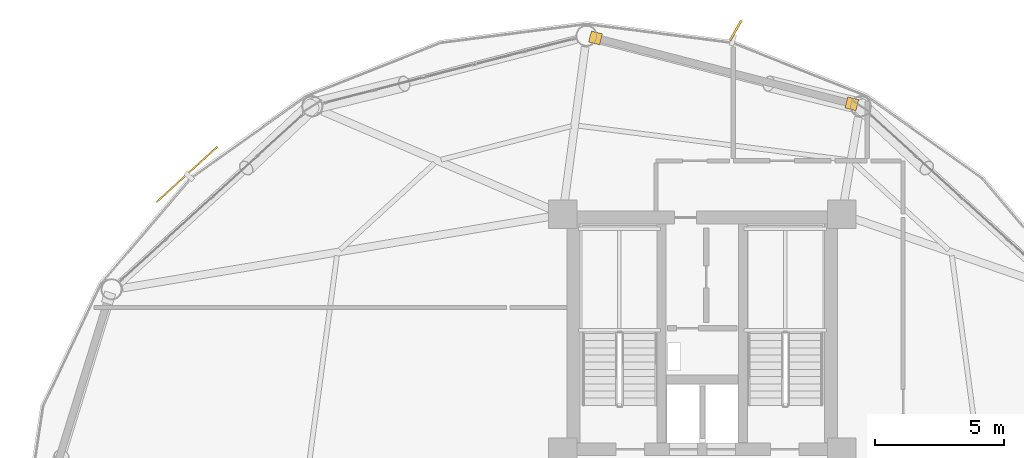
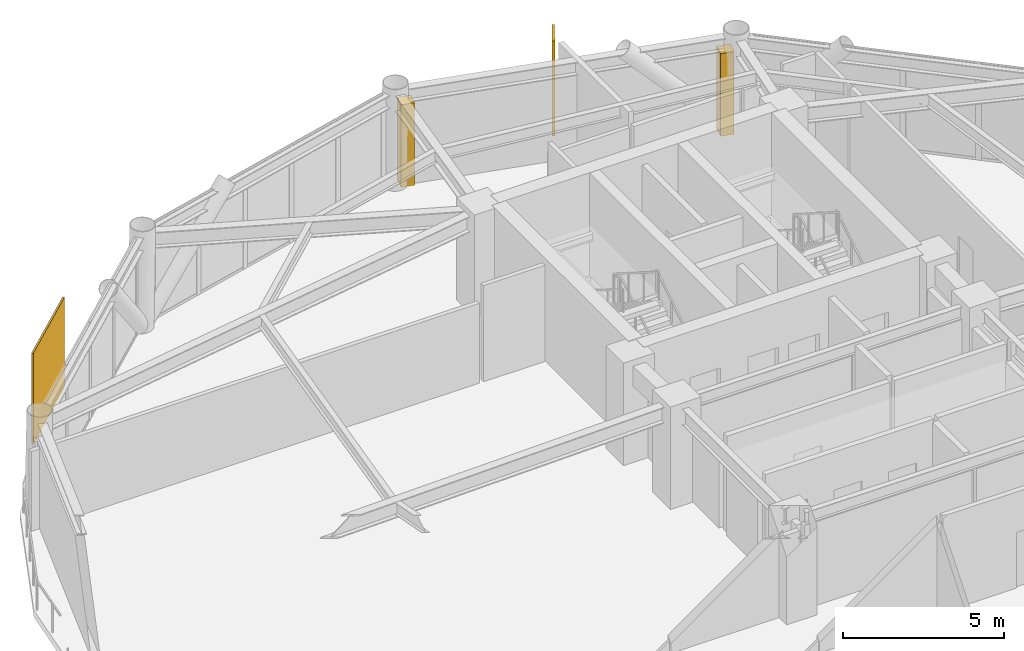
# One storey, part 24 of 24: 2 coverings, 2 shading devices.
"""IFC4 building model written with IfcOpenShell, lengths in metres."""

import ifcopenshell
import ifcopenshell.guid

model = None  # the IFC model being written
_history = None  # IfcOwnerHistory: only IFC2X3 demands one
_inside = {}  # id of a spatial element -> (the spatial element, [elements in it])
_under = {}  # id of a project, library or spatial element -> (it, [spatial elements below it])
_declared = {}  # id of a project -> (the project, [libraries it declares])
_typed = {}  # id of a type object -> (the type object, [elements of that type])
_made_of = {}  # id of a material, layer set ... -> (it, [elements and type objects made of it])


def new_model(schema):
    """Start an empty IFC model of exactly this schema.

    Asked for "IFC4X3", IfcOpenShell would pick the latest addendum, in which some entities
    have other attributes; the version numbers below select the first issue.
    IFC2X3 requires an IfcOwnerHistory on every rooted entity: one is made here for all.
    """
    global model, _history
    if schema == "IFC4X3":
        model = ifcopenshell.file(schema_version=(4, 3, 0, 0))
    else:
        model = ifcopenshell.file(schema=schema)
    _inside.clear()
    _under.clear()
    _declared.clear()
    _typed.clear()
    _made_of.clear()
    _history = None
    if model.schema == "IFC2X3":
        org = make("IfcOrganization", Name="unknown")
        user = make(
            "IfcPersonAndOrganization",
            ThePerson=make("IfcPerson", FamilyName="unknown"),
            TheOrganization=org,
        )
        app = make(
            "IfcApplication",
            ApplicationDeveloper=org,
            Version="unknown",
            ApplicationFullName="unknown",
            ApplicationIdentifier="unknown",
        )
        _history = make(
            "IfcOwnerHistory",
            OwningUser=user,
            OwningApplication=app,
            ChangeAction="ADDED",
            CreationDate=0,
        )
    return model


def make(cls, **values):
    """One entity of the class cls with the attributes given. An attribute that is None is left unset."""
    return model.create_entity(
        cls, **{name: value for name, value in values.items() if value is not None}
    )


def rooted(cls, **values):
    """An entity with a GlobalId (a new one), such as an element, a storey or a relation."""
    return make(cls, GlobalId=ifcopenshell.guid.new(), OwnerHistory=_history, **values)


def si_unit(unit_type, name, prefix=None):
    """IfcSIUnit, for example si_unit("LENGTHUNIT", "METRE", prefix="MILLI")."""
    return make("IfcSIUnit", UnitType=unit_type, Prefix=prefix, Name=name)


def assignment(units):
    """IfcUnitAssignment: the units of a project."""
    return None if units is None else make("IfcUnitAssignment", Units=units)


def point(xyz):
    """IfcCartesianPoint."""
    return None if xyz is None else make("IfcCartesianPoint", Coordinates=xyz)


def direction(xyz):
    """IfcDirection."""
    return None if xyz is None else make("IfcDirection", DirectionRatios=xyz)


def frame(location, z_axis=None, x_axis=None):
    """IfcAxis2Placement3D, a coordinate frame: its origin and axes. An axis left out is left unset."""
    return make(
        "IfcAxis2Placement3D",
        Location=point(location),
        Axis=direction(z_axis),
        RefDirection=direction(x_axis),
    )


def frame_2d(location, x_axis=None):
    """IfcAxis2Placement2D, a coordinate frame in the plane: its origin and x axis."""
    return make(
        "IfcAxis2Placement2D", Location=point(location), RefDirection=direction(x_axis)
    )


def origin():
    """The frame at (0, 0, 0) with its axes left unset."""
    return frame((0.0, 0.0, 0.0))


def origin_2d():
    """The frame at (0, 0) in the plane with its x axis left unset."""
    return frame_2d((0.0, 0.0))


def place(relative_to, where):
    """IfcLocalPlacement: puts the frame where relative to a parent placement (None: the world)."""
    return make(
        "IfcLocalPlacement", PlacementRelTo=relative_to, RelativePlacement=where
    )


def context(
    kind, dimensions, precision=None, world=None, true_north=None, identifier=None
):
    """IfcGeometricRepresentationContext, for example the 3D "Model" context."""
    return make(
        "IfcGeometricRepresentationContext",
        ContextIdentifier=identifier,
        ContextType=kind,
        CoordinateSpaceDimension=dimensions,
        Precision=precision,
        WorldCoordinateSystem=world,
        TrueNorth=true_north,
    )


def subcontext(parent, identifier, kind, view, scale=None):
    """IfcGeometricRepresentationSubContext, for example "Body" below "Model"."""
    return make(
        "IfcGeometricRepresentationSubContext",
        ContextIdentifier=identifier,
        ContextType=kind,
        ParentContext=parent,
        TargetScale=scale,
        TargetView=view,
    )


def project(units=None, contexts=None):
    """IfcProject with its units and contexts."""
    return rooted(
        "IfcProject",
        Name="project",
        RepresentationContexts=contexts,
        UnitsInContext=assignment(units),
    )


def spatial(cls, under=None, at=None, **own):
    """A site, building, storey or space (cls), placed at a placement, below another one or the project."""
    s = rooted(cls, ObjectPlacement=at, **own)
    if under is not None:
        _under.setdefault(under.id(), (under, []))[1].append(s)
    return s


def profile(cls, at=None, kind="AREA", **sizes):
    """A parametric profile (cls). Its sizes go by their IFC names, for example OverallWidth=200.0."""
    return make(cls, ProfileType=kind, Position=at, **sizes)


def rectangle(**sizes):
    """IfcRectangleProfileDef."""
    return profile("IfcRectangleProfileDef", **sizes)


def extrude(swept, where, along, depth):
    """IfcExtrudedAreaSolid: the profile swept, set in the frame where, extruded along a direction by depth."""
    return make(
        "IfcExtrudedAreaSolid",
        SweptArea=swept,
        Position=where,
        ExtrudedDirection=direction(along),
        Depth=depth,
    )


def shape(context_of_items, identifier, shape_type, items):
    """IfcShapeRepresentation: the items that make up one representation, for example the "Body"."""
    return make(
        "IfcShapeRepresentation",
        ContextOfItems=context_of_items,
        RepresentationIdentifier=identifier,
        RepresentationType=shape_type,
        Items=items,
    )


def source(mapping_origin, context_of_items, identifier, shape_type, items):
    """IfcRepresentationMap: a shape defined once, which mapped items show again and again."""
    return make(
        "IfcRepresentationMap",
        MappingOrigin=mapping_origin,
        MappedRepresentation=shape(context_of_items, identifier, shape_type, items),
    )


def transform(
    local_origin,
    x_axis=None,
    y_axis=None,
    z_axis=None,
    scale=None,
    scale2=None,
    scale3=None,
    uniform=True,
):
    """IfcCartesianTransformationOperator3D, or its non-uniform kind. x_axis, y_axis, z_axis: its Axis1, 2, 3."""
    if uniform:
        return make(
            "IfcCartesianTransformationOperator3D",
            Axis1=direction(x_axis),
            Axis2=direction(y_axis),
            LocalOrigin=point(local_origin),
            Scale=scale,
            Axis3=direction(z_axis),
        )
    return make(
        "IfcCartesianTransformationOperator3DnonUniform",
        Axis1=direction(x_axis),
        Axis2=direction(y_axis),
        LocalOrigin=point(local_origin),
        Scale=scale,
        Axis3=direction(z_axis),
        Scale2=scale2,
        Scale3=scale3,
    )


def mapped(mapping_source, mapping_target):
    """IfcMappedItem: shows the shape of a source again, moved by a transform."""
    return make(
        "IfcMappedItem", MappingSource=mapping_source, MappingTarget=mapping_target
    )


def material(Name=None, Category=None):
    """IfcMaterial."""
    return make("IfcMaterial", Name=Name, Category=Category)


def layer(
    of_material, thickness, ventilated=None, Name=None, Category=None, Priority=None
):
    """IfcMaterialLayer: one layer of a wall or slab, of a material (None: an air gap)."""
    return make(
        "IfcMaterialLayer",
        Material=of_material,
        LayerThickness=thickness,
        IsVentilated=ventilated,
        Name=Name,
        Category=Category,
        Priority=Priority,
    )


def layer_set(layers, Name=None):
    """IfcMaterialLayerSet."""
    return make("IfcMaterialLayerSet", MaterialLayers=layers, LayerSetName=Name)


def made_of(thing, what):
    """Note that an element or type object is made of a material, layer set ...; save() writes the relation."""
    if what is not None:
        _made_of.setdefault(what.id(), (what, []))[1].append(thing)
    return thing


def type_object(cls, material=None, **own):
    """A type object (cls), such as IfcWallType, which elements share."""
    return made_of(rooted(cls, **own), material)


def type_shapes(of_type, sources):
    """Give a type object the sources (RepresentationMaps) that its elements show as mapped items."""
    of_type.RepresentationMaps = sources


def element(
    cls,
    number,
    at=None,
    inside=None,
    cuts=None,
    type_object=None,
    material=None,
    context=None,
    identifier="Body",
    shape_type=None,
    held_by="IfcProductDefinitionShape",
    body=None,
    shapes=None,
    **own,
):
    """One element of the class cls, such as IfcWall. Its Tag is "e" and its number.

    at: its placement. inside: the storey or other place that contains it. cuts: it is an
    opening in that element (IfcRelVoidsElement). A single representation is given by context,
    identifier, shape_type and body (its items); several are given by shapes. held_by: the class
    of the entity that holds the representations. save() writes the other relations.
    """
    e = rooted(cls, Tag="e%d" % number, ObjectPlacement=at, **own)
    if body is not None:
        shapes = [shape(context, identifier, shape_type, body)]
    if shapes is not None:
        e.Representation = make(held_by, Representations=shapes)
    if inside is not None:
        _inside.setdefault(inside.id(), (inside, []))[1].append(e)
    if cuts is not None:
        rooted(
            "IfcRelVoidsElement", RelatingBuildingElement=cuts, RelatedOpeningElement=e
        )
    if type_object is not None:
        _typed.setdefault(type_object.id(), (type_object, []))[1].append(e)
    return made_of(e, material)


def aggregate(whole, parts):
    """IfcRelAggregates: a whole, such as a stair, and the parts it consists of."""
    return rooted("IfcRelAggregates", RelatingObject=whole, RelatedObjects=parts)


def save(model, path):
    """Write the relations noted so far, then the file.

    IfcRelAggregates (storeys below a building ...), IfcRelContainedInSpatialStructure (elements
    in a storey), IfcRelDefinesByType, IfcRelAssociatesMaterial and IfcRelDeclares: one each for
    every whole, place, type object, material and project.
    """
    for whole, parts in _under.values():
        aggregate(whole, parts)
    for where, things in _inside.values():
        rooted(
            "IfcRelContainedInSpatialStructure",
            RelatedElements=things,
            RelatingStructure=where,
        )
    for kind, things in _typed.values():
        rooted("IfcRelDefinesByType", RelatedObjects=things, RelatingType=kind)
    for what, things in _made_of.values():
        rooted("IfcRelAssociatesMaterial", RelatedObjects=things, RelatingMaterial=what)
    for by, libraries in _declared.values():
        rooted("IfcRelDeclares", RelatingContext=by, RelatedDefinitions=libraries)
    model.write(path)


model = new_model("IFC4")

# Units and contexts
model_context = context("Model", 3, precision=1e-05, world=origin(), true_north=direction((0.0, 1.0)))
body_context = subcontext(model_context, "Body", "Model", "MODEL_VIEW")
ifc_project = project(units=[si_unit("LENGTHUNIT", "METRE"), si_unit("AREAUNIT", "SQUARE_METRE"), si_unit("VOLUMEUNIT", "CUBIC_METRE"), si_unit("PLANEANGLEUNIT", "RADIAN"), si_unit("MASSUNIT", "GRAM", prefix="KILO")], contexts=[model_context])

# Site, building, storey
site_placement = place(None, origin())
site = spatial("IfcSite", under=ifc_project, at=site_placement, CompositionType="ELEMENT")
building_placement = place(site_placement, origin())
building = spatial("IfcBuilding", under=site, at=building_placement, Name="Varnakorn Sky Granary", CompositionType="ELEMENT")
storey_placement = place(building_placement, frame((0.0, 0.0, 111.0)))
storey = spatial("IfcBuildingStorey", under=building, at=storey_placement, Name="L27", CompositionType="ELEMENT", Elevation=111.0)

# Shading devices
ifc_material = material(Name="Anodised Bronze Aluminium Alloy 6063-T6", Category="aluminium")
shading_device_type_1 = type_object("IfcShadingDeviceType", Name="SH-FIN-01", PredefinedType="USERDEFINED", material=ifc_material)
shared_shape_1 = source(origin(), body_context, "Body", "SweptSolid", [
    extrude(rectangle(XDim=0.0849609375, YDim=0.8798828125, at=origin_2d()), origin(), (0.0, 0.0, 1.0), 3.60009765625),
])
type_shapes(shading_device_type_1, [shared_shape_1])
shading_device_1_placement = place(storey_placement, frame((4.297607421875, 19.768310546875, -0.0400390625), z_axis=(0.0, 0.0, 1.0), x_axis=(-0.867670630393, 0.497139494662, 0.0)))
element("IfcShadingDevice", 1, at=shading_device_1_placement, inside=storey, type_object=shading_device_type_1, Name="Bronze Solar-Tracking Vertical Blade FIN L27-03", ObjectType="FIN", PredefinedType="USERDEFINED", context=body_context, shape_type="MappedRepresentation", body=[
    mapped(shared_shape_1, transform((0.0, 0.0, 0.0), x_axis=(1.0, 0.0, 0.0), y_axis=(0.0, 1.0, 0.0), z_axis=(0.0, 0.0, 1.0), scale=1.0)),
])
shading_device_type_2 = type_object("IfcShadingDeviceType", Name="SH-SCR-01", PredefinedType="USERDEFINED", material=ifc_material)
shared_shape_2 = source(origin(), body_context, "Body", "SweptSolid", [
    extrude(rectangle(XDim=3.199951171875, YDim=0.06494140625, at=origin_2d()), origin(), (0.0, 0.0, 1.0), 3.39990234375),
])
type_shapes(shading_device_type_2, [shared_shape_2])
shading_device_2_placement = place(storey_placement, frame((-17.021484375, 14.17236328125, -0.0400390625), z_axis=(0.0, 0.0, 1.0), x_axis=(-0.739029613098, -0.673672940651, 0.0)))
element("IfcShadingDevice", 2, at=shading_device_2_placement, inside=storey, type_object=shading_device_type_2, Name="Perforated Bronze Solar Screen Panel SCREEN L27-05", ObjectType="SCREEN", PredefinedType="USERDEFINED", context=body_context, shape_type="MappedRepresentation", body=[
    mapped(shared_shape_2, transform((0.0, 0.0, 0.0), x_axis=(1.0, 0.0, 0.0), y_axis=(0.0, 1.0, 0.0), z_axis=(0.0, 0.0, 1.0), scale=1.0)),
])

# Coverings
ifc_layer = layer(ifc_material, 0.050048828125, Name="Anodised Bronze Aluminium Alloy 6063-T6")
ifc_layer_set = layer_set([ifc_layer], Name="Anodised Bronze Aluminium Alloy 6063-T6")
covering_type = type_object("IfcCoveringType", Name="CV-CLAD-50", PredefinedType="CLADDING", material=ifc_layer_set)
shared_shape_3 = source(origin(), body_context, "Body", "SweptSolid", [
    extrude(rectangle(XDim=0.43994140625, YDim=0.43994140625, at=origin_2d()), origin(), (0.0, 0.0, 1.0), 3.1298828125),
])
type_shapes(covering_type, [shared_shape_3])
for number, where, z_axis, x_axis, name in (
    (3, (-1.14990234375, 19.47412109375, -0.02001953125), (0.0, 0.0, 1.0), (0.968539741803, -0.248858933029, 0.0), "Bronze Corner Pilaster Closure L27-P03-A"),
    (4, (8.807373046875, 16.916015625, -0.02001953125), (0.0, 0.0, 1.0), (0.968539741803, -0.248858933029, 0.0), "Bronze Corner Pilaster Closure L27-P03-B"),
):
    element("IfcCovering", number, at=place(storey_placement, frame(where, z_axis=z_axis, x_axis=x_axis)), inside=storey, type_object=covering_type, Name=name, PredefinedType="CLADDING", context=body_context, shape_type="MappedRepresentation", body=[
        mapped(shared_shape_3, transform((0.0, 0.0, 0.0), x_axis=(1.0, 0.0, 0.0), y_axis=(0.0, 1.0, 0.0), z_axis=(0.0, 0.0, 1.0), scale=1.0)),
    ])

save(model, "model.ifc")
